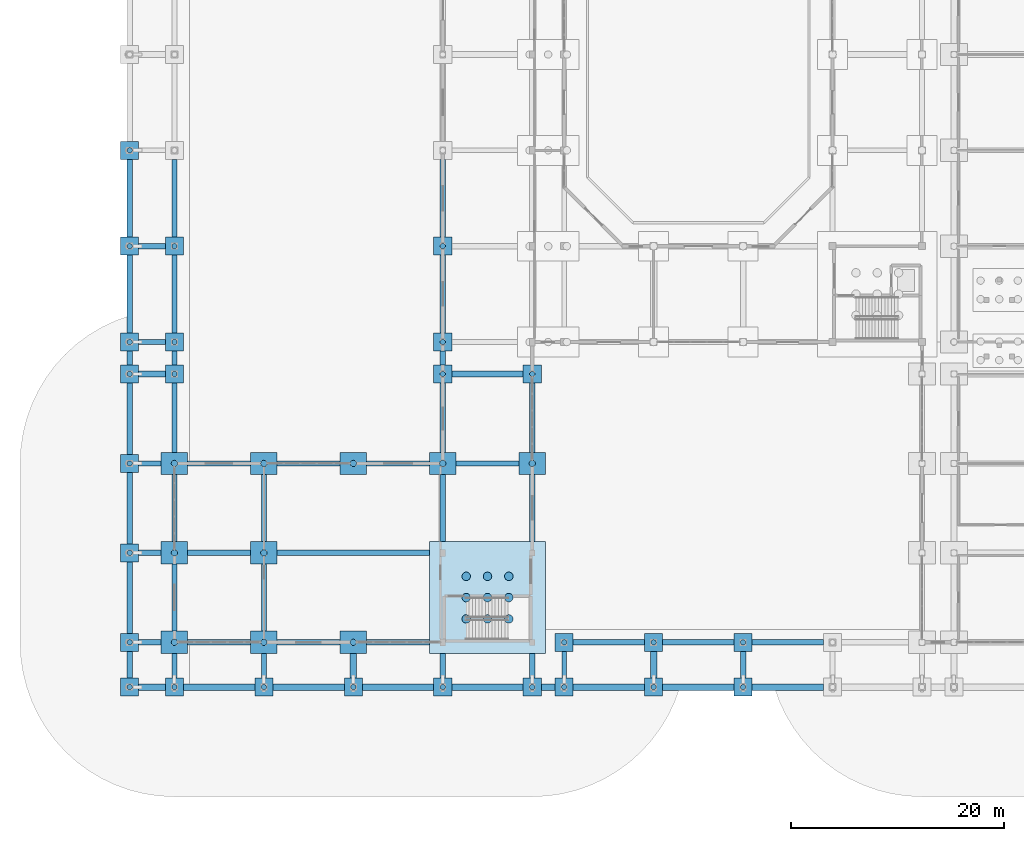
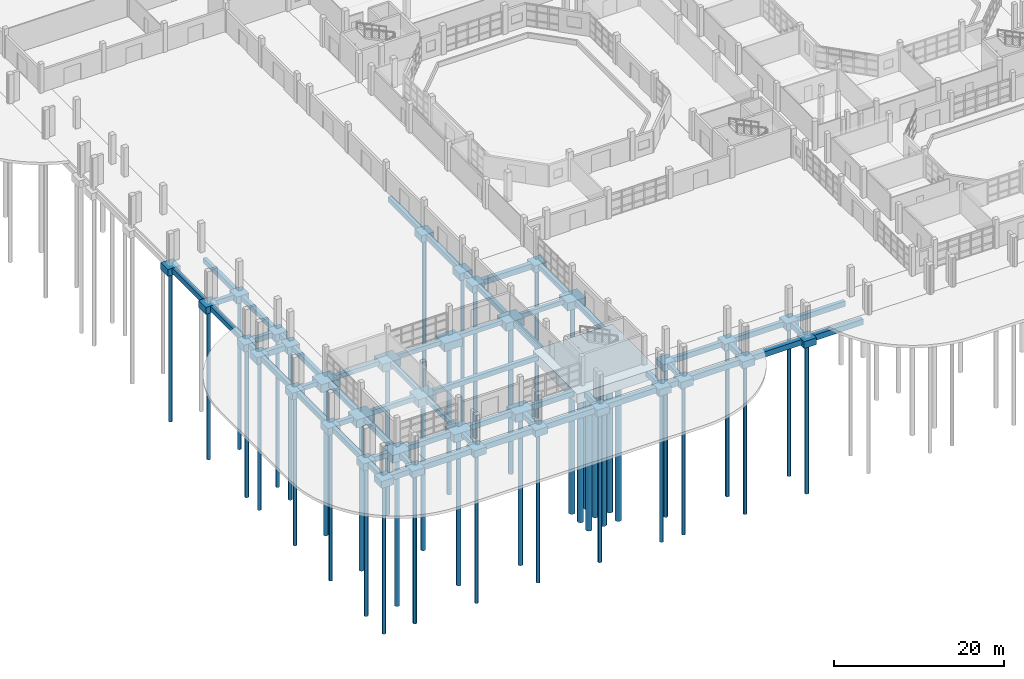
# One storey, part 1 of 88: 95 footings, 45 piles.
"""IFC4 building model written with IfcOpenShell, lengths in metres."""

from ifc_helpers import new_model, si_unit, direction, frame, origin, origin_2d, place, context, subcontext, project, spatial, rectangle, circle, extrude, material, material_profile, profile_set, type_object, element, save


model = new_model("IFC4")

# Units and contexts
model_context = context("Model", 3, precision=1e-05, world=origin(), true_north=direction((0.0, 1.0)))
body_context = subcontext(model_context, "Body", "Model", "MODEL_VIEW")
ifc_project = project(units=[si_unit("LENGTHUNIT", "METRE"), si_unit("AREAUNIT", "SQUARE_METRE"), si_unit("VOLUMEUNIT", "CUBIC_METRE"), si_unit("PLANEANGLEUNIT", "RADIAN"), si_unit("MASSUNIT", "GRAM", prefix="KILO")], contexts=[model_context])

# Site, building, storey
site_placement = place(None, origin())
site = spatial("IfcSite", under=ifc_project, at=site_placement, CompositionType="ELEMENT")
building_placement = place(site_placement, origin())
building = spatial("IfcBuilding", under=site, at=building_placement, Name="Vanh Quang Courtyard School", CompositionType="ELEMENT")
storey_placement = place(building_placement, origin())
storey = spatial("IfcBuildingStorey", under=building, at=storey_placement, Name="L00", CompositionType="ELEMENT", Elevation=0.0)

# Footings
ifc_material_1 = material(Name="Concrete C35/45", Category="concrete")
footing_type_1 = type_object("IfcFootingType", Name="FTG-GB-450x650", PredefinedType="FOOTING_BEAM", material=ifc_material_1)
footing_1_placement = place(storey_placement, frame((1.89990234375, 21.0, -1.050048828125), z_axis=(0.0, 0.0, 1.0), x_axis=(1.0, 0.0, 0.0)))
element("IfcFooting", 1, at=footing_1_placement, inside=storey, type_object=footing_type_1, Name="Footing GB-04 (L00)", PredefinedType="FOOTING_BEAM", context=body_context, shape_type="SweptSolid", body=[
    extrude(rectangle(XDim=2.10009765625, YDim=0.449951171875, at=origin_2d()), origin(), (0.0, 0.0, 1.0), 0.64990234375),
])
for number, where, z_axis, x_axis, name in (
    (2, (8.39990234375, 21.0, -1.050048828125), (0.0, 0.0, 1.0), (1.0, 0.0, 0.0), "Footing GB-04 (L00)"),
    (3, (16.800048828125, 21.0, -1.050048828125), (0.0, 0.0, 1.0), (1.0, 0.0, 0.0), "Footing GB-04 (L00)"),
    (4, (25.199951171875, 21.0, -1.050048828125), (0.0, 0.0, 1.0), (1.0, 0.0, 0.0), "Footing GB-04 (L00)"),
    (5, (33.60009765625, 21.0, -1.050048828125), (0.0, 0.0, 1.0), (1.0, 0.0, 0.0), "Footing GB-04 (L00)"),
):
    element("IfcFooting", number, at=place(storey_placement, frame(where, z_axis=z_axis, x_axis=x_axis)), inside=storey, type_object=footing_type_1, Name=name, PredefinedType="FOOTING_BEAM", context=body_context, shape_type="SweptSolid", body=[
        extrude(rectangle(XDim=5.89990234375, YDim=0.449951171875, at=origin_2d()), origin(), (0.0, 0.0, 1.0), 0.64990234375),
    ])
footing_2_placement = place(storey_placement, frame((12.60009765625, 2.0, -1.050048828125), z_axis=(0.0, 0.0, 1.0), x_axis=(0.0, 1.0, 0.0)))
element("IfcFooting", 6, at=footing_2_placement, inside=storey, type_object=footing_type_1, Name="Footing GB-04 (L00)", PredefinedType="FOOTING_BEAM", context=body_context, shape_type="SweptSolid", body=[
    extrude(rectangle(XDim=2.300048828125, YDim=0.449951171875, at=origin_2d()), origin(), (0.0, 0.0, 1.0), 0.64990234375),
])
for number, where, z_axis, x_axis, name in (
    (7, (12.60009765625, 8.39990234375, -1.050048828125), (0.0, 0.0, 1.0), (0.0, 1.0, 0.0), "Footing GB-04 (L00)"),
    (8, (12.60009765625, 16.800048828125, -1.050048828125), (0.0, 0.0, 1.0), (0.0, 1.0, 0.0), "Footing GB-04 (L00)"),
):
    element("IfcFooting", number, at=place(storey_placement, frame(where, z_axis=z_axis, x_axis=x_axis)), inside=storey, type_object=footing_type_1, Name=name, PredefinedType="FOOTING_BEAM", context=body_context, shape_type="SweptSolid", body=[
        extrude(rectangle(XDim=6.300048828125, YDim=0.449951171875, at=origin_2d()), origin(), (0.0, 0.0, 1.0), 0.64990234375),
    ])
footing_3_placement = place(storey_placement, frame((40.800048828125, 2.10009765625, -1.050048828125), z_axis=(0.0, 0.0, 1.0), x_axis=(0.0, 1.0, 0.0)))
element("IfcFooting", 9, at=footing_3_placement, inside=storey, type_object=footing_type_1, Name="Footing GB-04 (L00)", PredefinedType="FOOTING_BEAM", context=body_context, shape_type="SweptSolid", body=[
    extrude(rectangle(XDim=2.5, YDim=0.449951171875, at=origin_2d()), origin(), (0.0, 0.0, 1.0), 0.64990234375),
])
footing_type_2 = type_object("IfcFootingType", Name="FTG-GB-500x700", PredefinedType="FOOTING_BEAM", material=ifc_material_1)
footing_4_placement = place(storey_placement, frame((1.89990234375, 12.60009765625, -1.10009765625), z_axis=(0.0, 0.0, 1.0), x_axis=(1.0, 0.0, 0.0)))
element("IfcFooting", 10, at=footing_4_placement, inside=storey, type_object=footing_type_2, Name="Footing GB-03 (L00)", PredefinedType="FOOTING_BEAM", context=body_context, shape_type="SweptSolid", body=[
    extrude(rectangle(XDim=2.10009765625, YDim=0.5, at=origin_2d()), origin(), (0.0, 0.0, 1.0), 0.699951171875),
])
footing_5_placement = place(storey_placement, frame((8.39990234375, 12.60009765625, -1.10009765625), z_axis=(0.0, 0.0, 1.0), x_axis=(1.0, 0.0, 0.0)))
element("IfcFooting", 11, at=footing_5_placement, inside=storey, type_object=footing_type_2, Name="Footing GB-03 (L00)", PredefinedType="FOOTING_BEAM", context=body_context, shape_type="SweptSolid", body=[
    extrude(rectangle(XDim=5.89990234375, YDim=0.5, at=origin_2d()), origin(), (0.0, 0.0, 1.0), 0.699951171875),
])
footing_6_placement = place(storey_placement, frame((21.0, 12.60009765625, -1.10009765625), z_axis=(0.0, 0.0, 1.0), x_axis=(1.0, 0.0, 0.0)))
element("IfcFooting", 12, at=footing_6_placement, inside=storey, type_object=footing_type_2, Name="Footing GB-03 (L00)", PredefinedType="FOOTING_BEAM", context=body_context, shape_type="SweptSolid", body=[
    extrude(rectangle(XDim=14.300048828125, YDim=0.5, at=origin_2d()), origin(), (0.0, 0.0, 1.0), 0.699951171875),
])
footing_7_placement = place(storey_placement, frame((2.10009765625, 41.39990234375, -1.10009765625), z_axis=(0.0, 0.0, 1.0), x_axis=(1.0, 0.0, 0.0)))
element("IfcFooting", 13, at=footing_7_placement, inside=storey, type_object=footing_type_2, Name="Footing GB-03 (L00)", PredefinedType="FOOTING_BEAM", context=body_context, shape_type="SweptSolid", body=[
    extrude(rectangle(XDim=2.5, YDim=0.5, at=origin_2d()), origin(), (0.0, 0.0, 1.0), 0.699951171875),
])
footing_8_placement = place(storey_placement, frame((4.199951171875, 2.0, -1.10009765625), z_axis=(0.0, 0.0, 1.0), x_axis=(0.0, 1.0, 0.0)))
element("IfcFooting", 14, at=footing_8_placement, inside=storey, type_object=footing_type_2, Name="Footing GB-03 (L00)", PredefinedType="FOOTING_BEAM", context=body_context, shape_type="SweptSolid", body=[
    extrude(rectangle(XDim=2.300048828125, YDim=0.5, at=origin_2d()), origin(), (0.0, 0.0, 1.0), 0.699951171875),
])
for number, where, z_axis, x_axis, name in (
    (15, (4.199951171875, 8.39990234375, -1.10009765625), (0.0, 0.0, 1.0), (0.0, 1.0, 0.0), "Footing GB-03 (L00)"),
    (16, (4.199951171875, 16.800048828125, -1.10009765625), (0.0, 0.0, 1.0), (0.0, 1.0, 0.0), "Footing GB-03 (L00)"),
):
    element("IfcFooting", number, at=place(storey_placement, frame(where, z_axis=z_axis, x_axis=x_axis)), inside=storey, type_object=footing_type_2, Name=name, PredefinedType="FOOTING_BEAM", context=body_context, shape_type="SweptSolid", body=[
        extrude(rectangle(XDim=6.300048828125, YDim=0.5, at=origin_2d()), origin(), (0.0, 0.0, 1.0), 0.699951171875),
    ])
footing_9_placement = place(storey_placement, frame((4.199951171875, 25.300048828125, -1.10009765625), z_axis=(0.0, 0.0, 1.0), x_axis=(0.0, 1.0, 0.0)))
element("IfcFooting", 17, at=footing_9_placement, inside=storey, type_object=footing_type_2, Name="Footing GB-03 (L00)", PredefinedType="FOOTING_BEAM", context=body_context, shape_type="SweptSolid", body=[
    extrude(rectangle(XDim=6.5, YDim=0.5, at=origin_2d()), origin(), (0.0, 0.0, 1.0), 0.699951171875),
])
footing_10_placement = place(storey_placement, frame((4.199951171875, 30.89990234375, -1.10009765625), z_axis=(0.0, 0.0, 1.0), x_axis=(0.0, 1.0, 0.0)))
element("IfcFooting", 18, at=footing_10_placement, inside=storey, type_object=footing_type_2, Name="Footing GB-03 (L00)", PredefinedType="FOOTING_BEAM", context=body_context, shape_type="SweptSolid", body=[
    extrude(rectangle(XDim=1.300048828125, YDim=0.5, at=origin_2d()), origin(), (0.0, 0.0, 1.0), 0.699951171875),
])
for number, where, z_axis, x_axis, name in (
    (19, (4.199951171875, 36.89990234375, -1.10009765625), (0.0, 0.0, 1.0), (0.0, 1.0, 0.0), "Footing GB-03 (L00)"),
    (20, (4.199951171875, 45.89990234375, -1.10009765625), (0.0, 0.0, 1.0), (0.0, 1.0, 0.0), "Footing GB-03 (L00)"),
):
    element("IfcFooting", number, at=place(storey_placement, frame(where, z_axis=z_axis, x_axis=x_axis)), inside=storey, type_object=footing_type_2, Name=name, PredefinedType="FOOTING_BEAM", context=body_context, shape_type="SweptSolid", body=[
        extrude(rectangle(XDim=7.300048828125, YDim=0.5, at=origin_2d()), origin(), (0.0, 0.0, 1.0), 0.699951171875),
    ])
footing_11_placement = place(storey_placement, frame((37.800048828125, 2.0, -1.10009765625), z_axis=(0.0, 0.0, 1.0), x_axis=(0.0, 1.0, 0.0)))
element("IfcFooting", 21, at=footing_11_placement, inside=storey, type_object=footing_type_2, Name="Footing GB-03 (L00)", PredefinedType="FOOTING_BEAM", context=body_context, shape_type="SweptSolid", body=[
    extrude(rectangle(XDim=2.300048828125, YDim=0.5, at=origin_2d()), origin(), (0.0, 0.0, 1.0), 0.699951171875),
])
footing_12_placement = place(storey_placement, frame((37.800048828125, 16.800048828125, -1.10009765625), z_axis=(0.0, 0.0, 1.0), x_axis=(0.0, 1.0, 0.0)))
element("IfcFooting", 22, at=footing_12_placement, inside=storey, type_object=footing_type_2, Name="Footing GB-03 (L00)", PredefinedType="FOOTING_BEAM", context=body_context, shape_type="SweptSolid", body=[
    extrude(rectangle(XDim=6.300048828125, YDim=0.5, at=origin_2d()), origin(), (0.0, 0.0, 1.0), 0.699951171875),
])
footing_13_placement = place(storey_placement, frame((37.800048828125, 25.300048828125, -1.10009765625), z_axis=(0.0, 0.0, 1.0), x_axis=(0.0, 1.0, 0.0)))
element("IfcFooting", 23, at=footing_13_placement, inside=storey, type_object=footing_type_2, Name="Footing GB-03 (L00)", PredefinedType="FOOTING_BEAM", context=body_context, shape_type="SweptSolid", body=[
    extrude(rectangle(XDim=6.5, YDim=0.5, at=origin_2d()), origin(), (0.0, 0.0, 1.0), 0.699951171875),
])
footing_type_3 = type_object("IfcFootingType", Name="FTG-GB-500x750", PredefinedType="FOOTING_BEAM", material=ifc_material_1)
footing_14_placement = place(storey_placement, frame((1.89990234375, 4.199951171875, -1.14990234375), z_axis=(0.0, 0.0, 1.0), x_axis=(1.0, 0.0, 0.0)))
element("IfcFooting", 24, at=footing_14_placement, inside=storey, type_object=footing_type_3, Name="Footing GB-02 (L00)", PredefinedType="FOOTING_BEAM", context=body_context, shape_type="SweptSolid", body=[
    extrude(rectangle(XDim=2.10009765625, YDim=0.5, at=origin_2d()), origin(), (0.0, 0.0, 1.0), 0.75),
])
for number, where, z_axis, x_axis, name in (
    (25, (8.39990234375, 4.199951171875, -1.14990234375), (0.0, 0.0, 1.0), (1.0, 0.0, 0.0), "Footing GB-02 (L00)"),
    (26, (16.800048828125, 4.199951171875, -1.14990234375), (0.0, 0.0, 1.0), (1.0, 0.0, 0.0), "Footing GB-02 (L00)"),
    (27, (25.199951171875, 4.199951171875, -1.14990234375), (0.0, 0.0, 1.0), (1.0, 0.0, 0.0), "Footing GB-02 (L00)"),
):
    element("IfcFooting", number, at=place(storey_placement, frame(where, z_axis=z_axis, x_axis=x_axis)), inside=storey, type_object=footing_type_3, Name=name, PredefinedType="FOOTING_BEAM", context=body_context, shape_type="SweptSolid", body=[
        extrude(rectangle(XDim=5.89990234375, YDim=0.5, at=origin_2d()), origin(), (0.0, 0.0, 1.0), 0.75),
    ])
for number, where, z_axis, x_axis, name in (
    (28, (45.0, 4.199951171875, -1.14990234375), (0.0, 0.0, 1.0), (1.0, 0.0, 0.0), "Footing GB-02 (L00)"),
    (29, (53.39990234375, 4.199951171875, -1.14990234375), (0.0, 0.0, 1.0), (1.0, 0.0, 0.0), "Footing GB-02 (L00)"),
    (30, (61.800048828125, 4.199951171875, -1.14990234375), (0.0, 0.0, 1.0), (1.0, 0.0, 0.0), "Footing GB-02 (L00)"),
):
    element("IfcFooting", number, at=place(storey_placement, frame(where, z_axis=z_axis, x_axis=x_axis)), inside=storey, type_object=footing_type_3, Name=name, PredefinedType="FOOTING_BEAM", context=body_context, shape_type="SweptSolid", body=[
        extrude(rectangle(XDim=6.699951171875, YDim=0.5, at=origin_2d()), origin(), (0.0, 0.0, 1.0), 0.75),
    ])
for number, where, z_axis, x_axis, name in (
    (31, (2.10009765625, 32.39990234375, -1.14990234375), (0.0, 0.0, 1.0), (1.0, 0.0, 0.0), "Footing GB-02 (L00)"),
    (32, (0.0, 2.10009765625, -1.14990234375), (0.0, 0.0, 1.0), (0.0, 1.0, 0.0), "Footing GB-02 (L00)"),
):
    element("IfcFooting", number, at=place(storey_placement, frame(where, z_axis=z_axis, x_axis=x_axis)), inside=storey, type_object=footing_type_3, Name=name, PredefinedType="FOOTING_BEAM", context=body_context, shape_type="SweptSolid", body=[
        extrude(rectangle(XDim=2.5, YDim=0.5, at=origin_2d()), origin(), (0.0, 0.0, 1.0), 0.75),
    ])
for number, where, z_axis, x_axis, name in (
    (33, (0.0, 8.39990234375, -1.14990234375), (0.0, 0.0, 1.0), (0.0, 1.0, 0.0), "Footing GB-02 (L00)"),
    (34, (0.0, 16.800048828125, -1.14990234375), (0.0, 0.0, 1.0), (0.0, 1.0, 0.0), "Footing GB-02 (L00)"),
    (35, (0.0, 25.199951171875, -1.14990234375), (0.0, 0.0, 1.0), (0.0, 1.0, 0.0), "Footing GB-02 (L00)"),
):
    element("IfcFooting", number, at=place(storey_placement, frame(where, z_axis=z_axis, x_axis=x_axis)), inside=storey, type_object=footing_type_3, Name=name, PredefinedType="FOOTING_BEAM", context=body_context, shape_type="SweptSolid", body=[
        extrude(rectangle(XDim=6.699951171875, YDim=0.5, at=origin_2d()), origin(), (0.0, 0.0, 1.0), 0.75),
    ])
footing_15_placement = place(storey_placement, frame((0.0, 30.89990234375, -1.14990234375), z_axis=(0.0, 0.0, 1.0), x_axis=(0.0, 1.0, 0.0)))
element("IfcFooting", 36, at=footing_15_placement, inside=storey, type_object=footing_type_3, Name="Footing GB-02 (L00)", PredefinedType="FOOTING_BEAM", context=body_context, shape_type="SweptSolid", body=[
    extrude(rectangle(XDim=1.300048828125, YDim=0.5, at=origin_2d()), origin(), (0.0, 0.0, 1.0), 0.75),
])
for number, where, z_axis, x_axis, name in (
    (37, (0.0, 36.89990234375, -1.14990234375), (0.0, 0.0, 1.0), (0.0, 1.0, 0.0), "Footing GB-02 (L00)"),
    (38, (0.0, 45.89990234375, -1.14990234375), (0.0, 0.0, 1.0), (0.0, 1.0, 0.0), "Footing GB-02 (L00)"),
):
    element("IfcFooting", number, at=place(storey_placement, frame(where, z_axis=z_axis, x_axis=x_axis)), inside=storey, type_object=footing_type_3, Name=name, PredefinedType="FOOTING_BEAM", context=body_context, shape_type="SweptSolid", body=[
        extrude(rectangle(XDim=7.300048828125, YDim=0.5, at=origin_2d()), origin(), (0.0, 0.0, 1.0), 0.75),
    ])
footing_16_placement = place(storey_placement, frame((29.39990234375, 2.0, -1.14990234375), z_axis=(0.0, 0.0, 1.0), x_axis=(0.0, 1.0, 0.0)))
element("IfcFooting", 39, at=footing_16_placement, inside=storey, type_object=footing_type_3, Name="Footing GB-02 (L00)", PredefinedType="FOOTING_BEAM", context=body_context, shape_type="SweptSolid", body=[
    extrude(rectangle(XDim=2.300048828125, YDim=0.5, at=origin_2d()), origin(), (0.0, 0.0, 1.0), 0.75),
])
footing_17_placement = place(storey_placement, frame((29.39990234375, 16.800048828125, -1.14990234375), z_axis=(0.0, 0.0, 1.0), x_axis=(0.0, 1.0, 0.0)))
element("IfcFooting", 40, at=footing_17_placement, inside=storey, type_object=footing_type_3, Name="Footing GB-02 (L00)", PredefinedType="FOOTING_BEAM", context=body_context, shape_type="SweptSolid", body=[
    extrude(rectangle(XDim=6.300048828125, YDim=0.5, at=origin_2d()), origin(), (0.0, 0.0, 1.0), 0.75),
])
footing_18_placement = place(storey_placement, frame((29.39990234375, 25.300048828125, -1.14990234375), z_axis=(0.0, 0.0, 1.0), x_axis=(0.0, 1.0, 0.0)))
element("IfcFooting", 41, at=footing_18_placement, inside=storey, type_object=footing_type_3, Name="Footing GB-02 (L00)", PredefinedType="FOOTING_BEAM", context=body_context, shape_type="SweptSolid", body=[
    extrude(rectangle(XDim=6.5, YDim=0.5, at=origin_2d()), origin(), (0.0, 0.0, 1.0), 0.75),
])
footing_19_placement = place(storey_placement, frame((29.39990234375, 30.89990234375, -1.14990234375), z_axis=(0.0, 0.0, 1.0), x_axis=(0.0, 1.0, 0.0)))
element("IfcFooting", 42, at=footing_19_placement, inside=storey, type_object=footing_type_3, Name="Footing GB-02 (L00)", PredefinedType="FOOTING_BEAM", context=body_context, shape_type="SweptSolid", body=[
    extrude(rectangle(XDim=1.300048828125, YDim=0.5, at=origin_2d()), origin(), (0.0, 0.0, 1.0), 0.75),
])
for number, where, z_axis, x_axis, name in (
    (43, (29.39990234375, 36.89990234375, -1.14990234375), (0.0, 0.0, 1.0), (0.0, 1.0, 0.0), "Footing GB-02 (L00)"),
    (44, (29.39990234375, 45.89990234375, -1.14990234375), (0.0, 0.0, 1.0), (0.0, 1.0, 0.0), "Footing GB-02 (L00)"),
):
    element("IfcFooting", number, at=place(storey_placement, frame(where, z_axis=z_axis, x_axis=x_axis)), inside=storey, type_object=footing_type_3, Name=name, PredefinedType="FOOTING_BEAM", context=body_context, shape_type="SweptSolid", body=[
        extrude(rectangle(XDim=7.300048828125, YDim=0.5, at=origin_2d()), origin(), (0.0, 0.0, 1.0), 0.75),
    ])
footing_20_placement = place(storey_placement, frame((57.60009765625, 2.10009765625, -1.14990234375), z_axis=(0.0, 0.0, 1.0), x_axis=(0.0, 1.0, 0.0)))
element("IfcFooting", 45, at=footing_20_placement, inside=storey, type_object=footing_type_3, Name="Footing GB-02 (L00)", PredefinedType="FOOTING_BEAM", context=body_context, shape_type="SweptSolid", body=[
    extrude(rectangle(XDim=2.5, YDim=0.5, at=origin_2d()), origin(), (0.0, 0.0, 1.0), 0.75),
])
footing_type_4 = type_object("IfcFootingType", Name="FTG-GB-600x800", PredefinedType="FOOTING_BEAM", material=ifc_material_1)
footing_21_placement = place(storey_placement, frame((2.10009765625, 0.0, -1.2001953125), z_axis=(0.0, 0.0, 1.0), x_axis=(1.0, 0.0, 0.0)))
element("IfcFooting", 46, at=footing_21_placement, inside=storey, type_object=footing_type_4, Name="Footing GB-01 (L00)", PredefinedType="FOOTING_BEAM", context=body_context, shape_type="SweptSolid", body=[
    extrude(rectangle(XDim=2.5, YDim=0.60009765625, at=origin_2d()), origin(), (0.0, 0.0, 1.0), 0.800048828125),
])
for number, where, z_axis, x_axis, name in (
    (47, (8.39990234375, 0.0, -1.2001953125), (0.0, 0.0, 1.0), (1.0, 0.0, 0.0), "Footing GB-01 (L00)"),
    (48, (16.800048828125, 0.0, -1.2001953125), (0.0, 0.0, 1.0), (1.0, 0.0, 0.0), "Footing GB-01 (L00)"),
    (49, (25.199951171875, 0.0, -1.2001953125), (0.0, 0.0, 1.0), (1.0, 0.0, 0.0), "Footing GB-01 (L00)"),
    (50, (33.60009765625, 0.0, -1.2001953125), (0.0, 0.0, 1.0), (1.0, 0.0, 0.0), "Footing GB-01 (L00)"),
):
    element("IfcFooting", number, at=place(storey_placement, frame(where, z_axis=z_axis, x_axis=x_axis)), inside=storey, type_object=footing_type_4, Name=name, PredefinedType="FOOTING_BEAM", context=body_context, shape_type="SweptSolid", body=[
        extrude(rectangle(XDim=6.699951171875, YDim=0.60009765625, at=origin_2d()), origin(), (0.0, 0.0, 1.0), 0.800048828125),
    ])
footing_22_placement = place(storey_placement, frame((39.300048828125, 0.0, -1.2001953125), z_axis=(0.0, 0.0, 1.0), x_axis=(1.0, 0.0, 0.0)))
element("IfcFooting", 51, at=footing_22_placement, inside=storey, type_object=footing_type_4, Name="Footing GB-01 (L00)", PredefinedType="FOOTING_BEAM", context=body_context, shape_type="SweptSolid", body=[
    extrude(rectangle(XDim=1.300048828125, YDim=0.60009765625, at=origin_2d()), origin(), (0.0, 0.0, 1.0), 0.800048828125),
])
for number, where, z_axis, x_axis, name in (
    (52, (45.0, 0.0, -1.2001953125), (0.0, 0.0, 1.0), (1.0, 0.0, 0.0), "Footing GB-01 (L00)"),
    (53, (53.39990234375, 0.0, -1.2001953125), (0.0, 0.0, 1.0), (1.0, 0.0, 0.0), "Footing GB-01 (L00)"),
    (54, (61.800048828125, 0.0, -1.2001953125), (0.0, 0.0, 1.0), (1.0, 0.0, 0.0), "Footing GB-01 (L00)"),
):
    element("IfcFooting", number, at=place(storey_placement, frame(where, z_axis=z_axis, x_axis=x_axis)), inside=storey, type_object=footing_type_4, Name=name, PredefinedType="FOOTING_BEAM", context=body_context, shape_type="SweptSolid", body=[
        extrude(rectangle(XDim=6.699951171875, YDim=0.60009765625, at=origin_2d()), origin(), (0.0, 0.0, 1.0), 0.800048828125),
    ])
footing_23_placement = place(storey_placement, frame((2.10009765625, 29.39990234375, -1.2001953125), z_axis=(0.0, 0.0, 1.0), x_axis=(1.0, 0.0, 0.0)))
element("IfcFooting", 55, at=footing_23_placement, inside=storey, type_object=footing_type_4, Name="Footing GB-01 (L00)", PredefinedType="FOOTING_BEAM", context=body_context, shape_type="SweptSolid", body=[
    extrude(rectangle(XDim=2.5, YDim=0.60009765625, at=origin_2d()), origin(), (0.0, 0.0, 1.0), 0.800048828125),
])
footing_24_placement = place(storey_placement, frame((33.60009765625, 29.39990234375, -1.2001953125), z_axis=(0.0, 0.0, 1.0), x_axis=(1.0, 0.0, 0.0)))
element("IfcFooting", 56, at=footing_24_placement, inside=storey, type_object=footing_type_4, Name="Footing GB-01 (L00)", PredefinedType="FOOTING_BEAM", context=body_context, shape_type="SweptSolid", body=[
    extrude(rectangle(XDim=6.699951171875, YDim=0.60009765625, at=origin_2d()), origin(), (0.0, 0.0, 1.0), 0.800048828125),
])
footing_25_placement = place(storey_placement, frame((21.0, 2.0, -1.2001953125), z_axis=(0.0, 0.0, 1.0), x_axis=(0.0, 1.0, 0.0)))
element("IfcFooting", 57, at=footing_25_placement, inside=storey, type_object=footing_type_4, Name="Footing GB-01 (L00)", PredefinedType="FOOTING_BEAM", context=body_context, shape_type="SweptSolid", body=[
    extrude(rectangle(XDim=2.300048828125, YDim=0.60009765625, at=origin_2d()), origin(), (0.0, 0.0, 1.0), 0.800048828125),
])
footing_26_placement = place(storey_placement, frame((49.199951171875, 2.10009765625, -1.2001953125), z_axis=(0.0, 0.0, 1.0), x_axis=(0.0, 1.0, 0.0)))
element("IfcFooting", 58, at=footing_26_placement, inside=storey, type_object=footing_type_4, Name="Footing GB-01 (L00)", PredefinedType="FOOTING_BEAM", context=body_context, shape_type="SweptSolid", body=[
    extrude(rectangle(XDim=2.5, YDim=0.60009765625, at=origin_2d()), origin(), (0.0, 0.0, 1.0), 0.800048828125),
])
footing_type_5 = type_object("IfcFootingType", Name="FTG-PC-01", PredefinedType="PILE_CAP", material=ifc_material_1)
for number, where, z_axis, x_axis, name in (
    (59, (0.0, 0.0, -1.39990234375), (0.0, 0.0, 1.0), (1.0, 0.0, 0.0), "Footing PC-01 (L00)"),
    (60, (4.199951171875, 0.0, -1.39990234375), (0.0, 0.0, 1.0), (1.0, 0.0, 0.0), "Footing PC-01 (L00)"),
    (61, (12.60009765625, 0.0, -1.39990234375), (0.0, 0.0, 1.0), (1.0, 0.0, 0.0), "Footing PC-01 (L00)"),
    (62, (21.0, 0.0, -1.39990234375), (0.0, 0.0, 1.0), (1.0, 0.0, 0.0), "Footing PC-01 (L00)"),
    (63, (29.39990234375, 0.0, -1.39990234375), (0.0, 0.0, 1.0), (1.0, 0.0, 0.0), "Footing PC-01 (L00)"),
    (64, (37.800048828125, 0.0, -1.39990234375), (0.0, 0.0, 1.0), (1.0, 0.0, 0.0), "Footing PC-01 (L00)"),
    (65, (40.800048828125, 0.0, -1.39990234375), (0.0, 0.0, 1.0), (1.0, 0.0, 0.0), "Footing PC-01 (L00)"),
    (66, (49.199951171875, 0.0, -1.39990234375), (0.0, 0.0, 1.0), (1.0, 0.0, 0.0), "Footing PC-01 (L00)"),
    (67, (57.60009765625, 0.0, -1.39990234375), (0.0, 0.0, 1.0), (1.0, 0.0, 0.0), "Footing PC-01 (L00)"),
    (68, (0.0, 4.199951171875, -1.39990234375), (0.0, 0.0, 1.0), (1.0, 0.0, 0.0), "Footing PC-01 (L00)"),
    (69, (40.800048828125, 4.199951171875, -1.39990234375), (0.0, 0.0, 1.0), (1.0, 0.0, 0.0), "Footing PC-01 (L00)"),
    (70, (49.199951171875, 4.199951171875, -1.39990234375), (0.0, 0.0, 1.0), (1.0, 0.0, 0.0), "Footing PC-01 (L00)"),
    (71, (57.60009765625, 4.199951171875, -1.39990234375), (0.0, 0.0, 1.0), (1.0, 0.0, 0.0), "Footing PC-01 (L00)"),
    (72, (0.0, 12.60009765625, -1.39990234375), (0.0, 0.0, 1.0), (1.0, 0.0, 0.0), "Footing PC-01 (L00)"),
    (73, (0.0, 21.0, -1.39990234375), (0.0, 0.0, 1.0), (1.0, 0.0, 0.0), "Footing PC-01 (L00)"),
    (74, (0.0, 29.39990234375, -1.39990234375), (0.0, 0.0, 1.0), (1.0, 0.0, 0.0), "Footing PC-01 (L00)"),
    (75, (4.199951171875, 29.39990234375, -1.39990234375), (0.0, 0.0, 1.0), (1.0, 0.0, 0.0), "Footing PC-01 (L00)"),
    (76, (29.39990234375, 29.39990234375, -1.39990234375), (0.0, 0.0, 1.0), (1.0, 0.0, 0.0), "Footing PC-01 (L00)"),
    (77, (37.800048828125, 29.39990234375, -1.39990234375), (0.0, 0.0, 1.0), (1.0, 0.0, 0.0), "Footing PC-01 (L00)"),
    (78, (0.0, 32.39990234375, -1.39990234375), (0.0, 0.0, 1.0), (1.0, 0.0, 0.0), "Footing PC-01 (L00)"),
    (79, (4.199951171875, 32.39990234375, -1.39990234375), (0.0, 0.0, 1.0), (1.0, 0.0, 0.0), "Footing PC-01 (L00)"),
    (80, (29.39990234375, 32.39990234375, -1.39990234375), (0.0, 0.0, 1.0), (1.0, 0.0, 0.0), "Footing PC-01 (L00)"),
    (81, (0.0, 41.39990234375, -1.39990234375), (0.0, 0.0, 1.0), (1.0, 0.0, 0.0), "Footing PC-01 (L00)"),
    (82, (4.199951171875, 41.39990234375, -1.39990234375), (0.0, 0.0, 1.0), (1.0, 0.0, 0.0), "Footing PC-01 (L00)"),
    (83, (29.39990234375, 41.39990234375, -1.39990234375), (0.0, 0.0, 1.0), (1.0, 0.0, 0.0), "Footing PC-01 (L00)"),
    (84, (0.0, 50.39990234375, -1.39990234375), (0.0, 0.0, 1.0), (1.0, 0.0, 0.0), "Footing PC-01 (L00)"),
):
    element("IfcFooting", number, at=place(storey_placement, frame(where, z_axis=z_axis, x_axis=x_axis)), inside=storey, type_object=footing_type_5, Name=name, PredefinedType="PILE_CAP", context=body_context, shape_type="SweptSolid", body=[
        extrude(rectangle(XDim=1.699951171875, YDim=1.699951171875, at=origin_2d()), origin(), (0.0, 0.0, 1.0), 1.0),
    ])
footing_type_6 = type_object("IfcFootingType", Name="FTG-PC-03", PredefinedType="PILE_CAP", material=ifc_material_1)
for number, where, z_axis, x_axis, name in (
    (85, (4.199951171875, 4.199951171875, -1.550048828125), (0.0, 0.0, 1.0), (1.0, 0.0, 0.0), "Footing PC-03 (L00)"),
    (86, (12.60009765625, 4.199951171875, -1.550048828125), (0.0, 0.0, 1.0), (1.0, 0.0, 0.0), "Footing PC-03 (L00)"),
    (87, (21.0, 4.199951171875, -1.550048828125), (0.0, 0.0, 1.0), (1.0, 0.0, 0.0), "Footing PC-03 (L00)"),
    (88, (4.199951171875, 12.60009765625, -1.550048828125), (0.0, 0.0, 1.0), (1.0, 0.0, 0.0), "Footing PC-03 (L00)"),
    (89, (12.60009765625, 12.60009765625, -1.550048828125), (0.0, 0.0, 1.0), (1.0, 0.0, 0.0), "Footing PC-03 (L00)"),
    (90, (4.199951171875, 21.0, -1.550048828125), (0.0, 0.0, 1.0), (1.0, 0.0, 0.0), "Footing PC-03 (L00)"),
    (91, (12.60009765625, 21.0, -1.550048828125), (0.0, 0.0, 1.0), (1.0, 0.0, 0.0), "Footing PC-03 (L00)"),
    (92, (21.0, 21.0, -1.550048828125), (0.0, 0.0, 1.0), (1.0, 0.0, 0.0), "Footing PC-03 (L00)"),
    (93, (29.39990234375, 21.0, -1.550048828125), (0.0, 0.0, 1.0), (1.0, 0.0, 0.0), "Footing PC-03 (L00)"),
    (94, (37.800048828125, 21.0, -1.550048828125), (0.0, 0.0, 1.0), (1.0, 0.0, 0.0), "Footing PC-03 (L00)"),
):
    element("IfcFooting", number, at=place(storey_placement, frame(where, z_axis=z_axis, x_axis=x_axis)), inside=storey, type_object=footing_type_6, Name=name, PredefinedType="PILE_CAP", context=body_context, shape_type="SweptSolid", body=[
        extrude(rectangle(XDim=2.5, YDim=2.10009765625, at=origin_2d()), origin(), (0.0, 0.0, 1.0), 1.14990234375),
    ])
footing_type_7 = type_object("IfcFootingType", Name="FTG-PC-04", PredefinedType="PILE_CAP", material=ifc_material_1)
footing_27_placement = place(storey_placement, frame((33.60009765625, 8.39990234375, -1.800048828125), z_axis=(0.0, 0.0, 1.0), x_axis=(1.0, 0.0, 0.0)))
element("IfcFooting", 95, at=footing_27_placement, inside=storey, type_object=footing_type_7, Name="Footing PC-04 (L00)", PredefinedType="PILE_CAP", context=body_context, shape_type="SweptSolid", body=[
    extrude(rectangle(XDim=10.89990234375, YDim=10.5, at=origin_2d()), origin(), (0.0, 0.0, 1.0), 1.39990234375),
])

# Piles
ifc_material_2 = material(Name="Concrete C30/37", Category="concrete")
ifc_material_profile_1 = material_profile(ifc_material_2, circle(Radius=0.25, at=origin_2d()), Name="PILE D500")
ifc_profile_set_1 = profile_set([ifc_material_profile_1], Name="Concrete C30/37")
pile_type_1 = type_object("IfcPileType", Name="PILE-BORED-500", PredefinedType="BORED", material=ifc_profile_set_1)
for number, where, z_axis, x_axis, name in (
    (96, (0.0, 0.0, -1.300048828125), (0.0, 0.0, -1.0), (1.0, 0.0, 0.0), "Bored Pile BP-01 (L00)"),
    (97, (4.199951171875, 0.0, -1.300048828125), (0.0, 0.0, -1.0), (1.0, 0.0, 0.0), "Bored Pile BP-01 (L00)"),
    (98, (12.60009765625, 0.0, -1.300048828125), (0.0, 0.0, -1.0), (1.0, 0.0, 0.0), "Bored Pile BP-01 (L00)"),
    (99, (21.0, 0.0, -1.300048828125), (0.0, 0.0, -1.0), (1.0, 0.0, 0.0), "Bored Pile BP-01 (L00)"),
    (100, (29.39990234375, 0.0, -1.300048828125), (0.0, 0.0, -1.0), (1.0, 0.0, 0.0), "Bored Pile BP-01 (L00)"),
    (101, (37.800048828125, 0.0, -1.300048828125), (0.0, 0.0, -1.0), (1.0, 0.0, 0.0), "Bored Pile BP-01 (L00)"),
    (102, (40.800048828125, 0.0, -1.300048828125), (0.0, 0.0, -1.0), (1.0, 0.0, 0.0), "Bored Pile BP-01 (L00)"),
    (103, (49.199951171875, 0.0, -1.300048828125), (0.0, 0.0, -1.0), (1.0, 0.0, 0.0), "Bored Pile BP-01 (L00)"),
    (104, (57.60009765625, 0.0, -1.300048828125), (0.0, 0.0, -1.0), (1.0, 0.0, 0.0), "Bored Pile BP-01 (L00)"),
    (105, (0.0, 4.199951171875, -1.300048828125), (0.0, 0.0, -1.0), (1.0, 0.0, 0.0), "Bored Pile BP-01 (L00)"),
    (106, (40.800048828125, 4.199951171875, -1.300048828125), (0.0, 0.0, -1.0), (1.0, 0.0, 0.0), "Bored Pile BP-01 (L00)"),
    (107, (49.199951171875, 4.199951171875, -1.300048828125), (0.0, 0.0, -1.0), (1.0, 0.0, 0.0), "Bored Pile BP-01 (L00)"),
    (108, (57.60009765625, 4.199951171875, -1.300048828125), (0.0, 0.0, -1.0), (1.0, 0.0, 0.0), "Bored Pile BP-01 (L00)"),
    (109, (0.0, 12.60009765625, -1.300048828125), (0.0, 0.0, -1.0), (1.0, 0.0, 0.0), "Bored Pile BP-01 (L00)"),
    (110, (0.0, 21.0, -1.300048828125), (0.0, 0.0, -1.0), (1.0, 0.0, 0.0), "Bored Pile BP-01 (L00)"),
    (111, (0.0, 29.39990234375, -1.300048828125), (0.0, 0.0, -1.0), (1.0, 0.0, 0.0), "Bored Pile BP-01 (L00)"),
    (112, (4.199951171875, 29.39990234375, -1.300048828125), (0.0, 0.0, -1.0), (1.0, 0.0, 0.0), "Bored Pile BP-01 (L00)"),
    (113, (29.39990234375, 29.39990234375, -1.300048828125), (0.0, 0.0, -1.0), (1.0, 0.0, 0.0), "Bored Pile BP-01 (L00)"),
    (114, (37.800048828125, 29.39990234375, -1.300048828125), (0.0, 0.0, -1.0), (1.0, 0.0, 0.0), "Bored Pile BP-01 (L00)"),
    (115, (0.0, 32.39990234375, -1.300048828125), (0.0, 0.0, -1.0), (1.0, 0.0, 0.0), "Bored Pile BP-01 (L00)"),
    (116, (4.199951171875, 32.39990234375, -1.300048828125), (0.0, 0.0, -1.0), (1.0, 0.0, 0.0), "Bored Pile BP-01 (L00)"),
    (117, (29.39990234375, 32.39990234375, -1.300048828125), (0.0, 0.0, -1.0), (1.0, 0.0, 0.0), "Bored Pile BP-01 (L00)"),
    (118, (0.0, 41.39990234375, -1.300048828125), (0.0, 0.0, -1.0), (1.0, 0.0, 0.0), "Bored Pile BP-01 (L00)"),
    (119, (4.199951171875, 41.39990234375, -1.300048828125), (0.0, 0.0, -1.0), (1.0, 0.0, 0.0), "Bored Pile BP-01 (L00)"),
    (120, (29.39990234375, 41.39990234375, -1.300048828125), (0.0, 0.0, -1.0), (1.0, 0.0, 0.0), "Bored Pile BP-01 (L00)"),
    (121, (0.0, 50.39990234375, -1.300048828125), (0.0, 0.0, -1.0), (1.0, 0.0, 0.0), "Bored Pile BP-01 (L00)"),
):
    element("IfcPile", number, at=place(storey_placement, frame(where, z_axis=z_axis, x_axis=x_axis)), inside=storey, type_object=pile_type_1, Name=name, PredefinedType="BORED", context=body_context, shape_type="SweptSolid", body=[
        extrude(circle(Radius=0.25, at=origin_2d()), origin(), (0.0, 0.0, 1.0), 21.699951171875),
    ])
ifc_material_profile_2 = material_profile(ifc_material_2, circle(Radius=0.300048828125, at=origin_2d()), Name="PILE D600")
ifc_profile_set_2 = profile_set([ifc_material_profile_2], Name="Concrete C30/37")
pile_type_2 = type_object("IfcPileType", Name="PILE-BORED-600", PredefinedType="BORED", material=ifc_profile_set_2)
for number, where, z_axis, x_axis, name in (
    (122, (4.199951171875, 4.199951171875, -1.449951171875), (0.0, 0.0, -1.0), (1.0, 0.0, 0.0), "Bored Pile BP-02 (L00)"),
    (123, (12.60009765625, 4.199951171875, -1.449951171875), (0.0, 0.0, -1.0), (1.0, 0.0, 0.0), "Bored Pile BP-02 (L00)"),
    (124, (21.0, 4.199951171875, -1.449951171875), (0.0, 0.0, -1.0), (1.0, 0.0, 0.0), "Bored Pile BP-02 (L00)"),
    (125, (4.199951171875, 12.60009765625, -1.449951171875), (0.0, 0.0, -1.0), (1.0, 0.0, 0.0), "Bored Pile BP-02 (L00)"),
    (126, (12.60009765625, 12.60009765625, -1.449951171875), (0.0, 0.0, -1.0), (1.0, 0.0, 0.0), "Bored Pile BP-02 (L00)"),
    (127, (4.199951171875, 21.0, -1.449951171875), (0.0, 0.0, -1.0), (1.0, 0.0, 0.0), "Bored Pile BP-02 (L00)"),
    (128, (12.60009765625, 21.0, -1.449951171875), (0.0, 0.0, -1.0), (1.0, 0.0, 0.0), "Bored Pile BP-02 (L00)"),
    (129, (21.0, 21.0, -1.449951171875), (0.0, 0.0, -1.0), (1.0, 0.0, 0.0), "Bored Pile BP-02 (L00)"),
    (130, (29.39990234375, 21.0, -1.449951171875), (0.0, 0.0, -1.0), (1.0, 0.0, 0.0), "Bored Pile BP-02 (L00)"),
    (131, (37.800048828125, 21.0, -1.449951171875), (0.0, 0.0, -1.0), (1.0, 0.0, 0.0), "Bored Pile BP-02 (L00)"),
):
    element("IfcPile", number, at=place(storey_placement, frame(where, z_axis=z_axis, x_axis=x_axis)), inside=storey, type_object=pile_type_2, Name=name, PredefinedType="BORED", context=body_context, shape_type="SweptSolid", body=[
        extrude(circle(Radius=0.300048828125, at=origin_2d()), origin(), (0.0, 0.0, 1.0), 21.550048828125),
    ])
ifc_material_profile_3 = material_profile(ifc_material_2, circle(Radius=0.39990234375, at=origin_2d()), Name="PILE D800")
ifc_profile_set_3 = profile_set([ifc_material_profile_3], Name="Concrete C30/37")
pile_type_3 = type_object("IfcPileType", Name="PILE-BORED-800", PredefinedType="BORED", material=ifc_profile_set_3)
for number, where, z_axis, x_axis, name in (
    (132, (31.60009765625, 6.39990234375, -1.699951171875), (0.0, 0.0, -1.0), (1.0, 0.0, 0.0), "Bored Pile BP-04 (L00)"),
    (133, (31.60009765625, 8.39990234375, -1.699951171875), (0.0, 0.0, -1.0), (1.0, 0.0, 0.0), "Bored Pile BP-04 (L00)"),
    (134, (31.60009765625, 10.39990234375, -1.699951171875), (0.0, 0.0, -1.0), (1.0, 0.0, 0.0), "Bored Pile BP-04 (L00)"),
    (135, (33.60009765625, 6.39990234375, -1.699951171875), (0.0, 0.0, -1.0), (1.0, 0.0, 0.0), "Bored Pile BP-04 (L00)"),
    (136, (33.60009765625, 8.39990234375, -1.699951171875), (0.0, 0.0, -1.0), (1.0, 0.0, 0.0), "Bored Pile BP-04 (L00)"),
    (137, (33.60009765625, 10.39990234375, -1.699951171875), (0.0, 0.0, -1.0), (1.0, 0.0, 0.0), "Bored Pile BP-04 (L00)"),
    (138, (35.60009765625, 6.39990234375, -1.699951171875), (0.0, 0.0, -1.0), (1.0, 0.0, 0.0), "Bored Pile BP-04 (L00)"),
    (139, (35.60009765625, 8.39990234375, -1.699951171875), (0.0, 0.0, -1.0), (1.0, 0.0, 0.0), "Bored Pile BP-04 (L00)"),
    (140, (35.60009765625, 10.39990234375, -1.699951171875), (0.0, 0.0, -1.0), (1.0, 0.0, 0.0), "Bored Pile BP-04 (L00)"),
):
    element("IfcPile", number, at=place(storey_placement, frame(where, z_axis=z_axis, x_axis=x_axis)), inside=storey, type_object=pile_type_3, Name=name, PredefinedType="BORED", context=body_context, shape_type="SweptSolid", body=[
        extrude(circle(Radius=0.39990234375, at=origin_2d()), origin(), (0.0, 0.0, 1.0), 21.300048828125),
    ])

save(model, "model.ifc")
